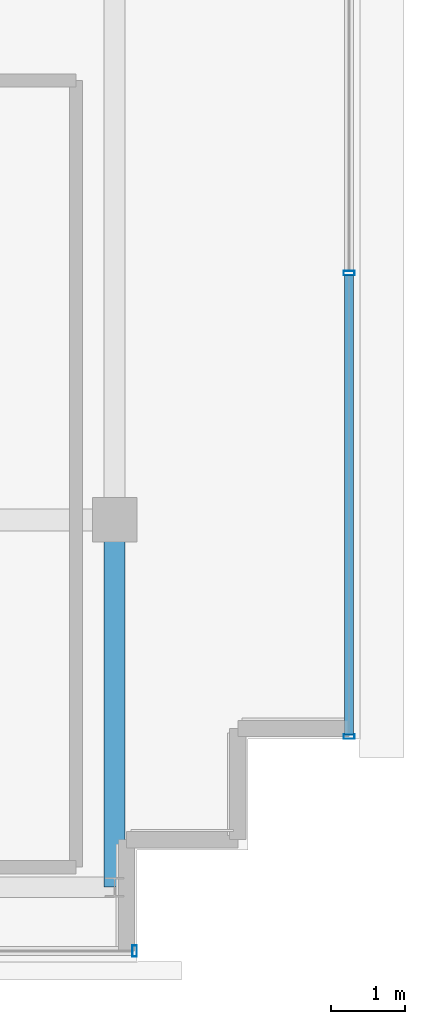
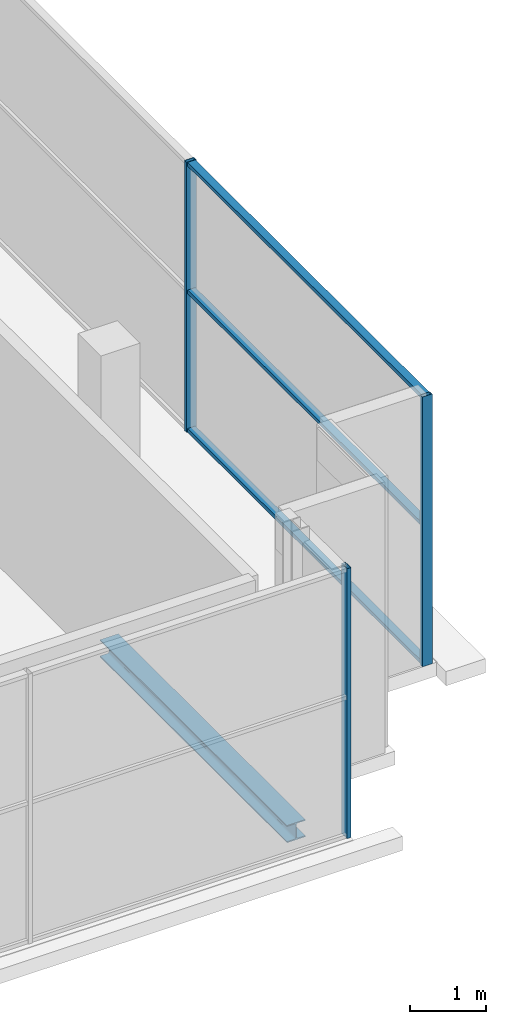
# One storey, part 19 of 27: 6 members, 1 beam, 2 elements without a shape of their own.
"""IFC4 building model written with IfcOpenShell, lengths in metres."""

import ifcopenshell
import ifcopenshell.guid

model = None  # the IFC model being written
_history = None  # IfcOwnerHistory: only IFC2X3 demands one
_inside = {}  # id of a spatial element -> (the spatial element, [elements in it])
_under = {}  # id of a project, library or spatial element -> (it, [spatial elements below it])
_declared = {}  # id of a project -> (the project, [libraries it declares])
_typed = {}  # id of a type object -> (the type object, [elements of that type])
_made_of = {}  # id of a material, layer set ... -> (it, [elements and type objects made of it])


def new_model(schema):
    """Start an empty IFC model of exactly this schema.

    Asked for "IFC4X3", IfcOpenShell would pick the latest addendum, in which some entities
    have other attributes; the version numbers below select the first issue.
    IFC2X3 requires an IfcOwnerHistory on every rooted entity: one is made here for all.
    """
    global model, _history
    if schema == "IFC4X3":
        model = ifcopenshell.file(schema_version=(4, 3, 0, 0))
    else:
        model = ifcopenshell.file(schema=schema)
    _inside.clear()
    _under.clear()
    _declared.clear()
    _typed.clear()
    _made_of.clear()
    _history = None
    if model.schema == "IFC2X3":
        org = make("IfcOrganization", Name="unknown")
        user = make(
            "IfcPersonAndOrganization",
            ThePerson=make("IfcPerson", FamilyName="unknown"),
            TheOrganization=org,
        )
        app = make(
            "IfcApplication",
            ApplicationDeveloper=org,
            Version="unknown",
            ApplicationFullName="unknown",
            ApplicationIdentifier="unknown",
        )
        _history = make(
            "IfcOwnerHistory",
            OwningUser=user,
            OwningApplication=app,
            ChangeAction="ADDED",
            CreationDate=0,
        )
    return model


def make(cls, **values):
    """One entity of the class cls with the attributes given. An attribute that is None is left unset."""
    return model.create_entity(
        cls, **{name: value for name, value in values.items() if value is not None}
    )


def rooted(cls, **values):
    """An entity with a GlobalId (a new one), such as an element, a storey or a relation."""
    return make(cls, GlobalId=ifcopenshell.guid.new(), OwnerHistory=_history, **values)


def si_unit(unit_type, name, prefix=None):
    """IfcSIUnit, for example si_unit("LENGTHUNIT", "METRE", prefix="MILLI")."""
    return make("IfcSIUnit", UnitType=unit_type, Prefix=prefix, Name=name)


def assignment(units):
    """IfcUnitAssignment: the units of a project."""
    return None if units is None else make("IfcUnitAssignment", Units=units)


def point(xyz):
    """IfcCartesianPoint."""
    return None if xyz is None else make("IfcCartesianPoint", Coordinates=xyz)


def direction(xyz):
    """IfcDirection."""
    return None if xyz is None else make("IfcDirection", DirectionRatios=xyz)


def frame(location, z_axis=None, x_axis=None):
    """IfcAxis2Placement3D, a coordinate frame: its origin and axes. An axis left out is left unset."""
    return make(
        "IfcAxis2Placement3D",
        Location=point(location),
        Axis=direction(z_axis),
        RefDirection=direction(x_axis),
    )


def frame_2d(location, x_axis=None):
    """IfcAxis2Placement2D, a coordinate frame in the plane: its origin and x axis."""
    return make(
        "IfcAxis2Placement2D", Location=point(location), RefDirection=direction(x_axis)
    )


def origin():
    """The frame at (0, 0, 0) with its axes left unset."""
    return frame((0.0, 0.0, 0.0))


def origin_2d():
    """The frame at (0, 0) in the plane with its x axis left unset."""
    return frame_2d((0.0, 0.0))


def place(relative_to, where):
    """IfcLocalPlacement: puts the frame where relative to a parent placement (None: the world)."""
    return make(
        "IfcLocalPlacement", PlacementRelTo=relative_to, RelativePlacement=where
    )


def context(
    kind, dimensions, precision=None, world=None, true_north=None, identifier=None
):
    """IfcGeometricRepresentationContext, for example the 3D "Model" context."""
    return make(
        "IfcGeometricRepresentationContext",
        ContextIdentifier=identifier,
        ContextType=kind,
        CoordinateSpaceDimension=dimensions,
        Precision=precision,
        WorldCoordinateSystem=world,
        TrueNorth=true_north,
    )


def subcontext(parent, identifier, kind, view, scale=None):
    """IfcGeometricRepresentationSubContext, for example "Body" below "Model"."""
    return make(
        "IfcGeometricRepresentationSubContext",
        ContextIdentifier=identifier,
        ContextType=kind,
        ParentContext=parent,
        TargetScale=scale,
        TargetView=view,
    )


def project(units=None, contexts=None):
    """IfcProject with its units and contexts."""
    return rooted(
        "IfcProject",
        Name="project",
        RepresentationContexts=contexts,
        UnitsInContext=assignment(units),
    )


def spatial(cls, under=None, at=None, **own):
    """A site, building, storey or space (cls), placed at a placement, below another one or the project."""
    s = rooted(cls, ObjectPlacement=at, **own)
    if under is not None:
        _under.setdefault(under.id(), (under, []))[1].append(s)
    return s


def profile(cls, at=None, kind="AREA", **sizes):
    """A parametric profile (cls). Its sizes go by their IFC names, for example OverallWidth=200.0."""
    return make(cls, ProfileType=kind, Position=at, **sizes)


def hollow_rectangle(**sizes):
    """IfcRectangleHollowProfileDef."""
    return profile("IfcRectangleHollowProfileDef", **sizes)


def i_section(**sizes):
    """IfcIShapeProfileDef."""
    return profile("IfcIShapeProfileDef", **sizes)


def extrude(swept, where, along, depth):
    """IfcExtrudedAreaSolid: the profile swept, set in the frame where, extruded along a direction by depth."""
    return make(
        "IfcExtrudedAreaSolid",
        SweptArea=swept,
        Position=where,
        ExtrudedDirection=direction(along),
        Depth=depth,
    )


def shape(context_of_items, identifier, shape_type, items):
    """IfcShapeRepresentation: the items that make up one representation, for example the "Body"."""
    return make(
        "IfcShapeRepresentation",
        ContextOfItems=context_of_items,
        RepresentationIdentifier=identifier,
        RepresentationType=shape_type,
        Items=items,
    )


def source(mapping_origin, context_of_items, identifier, shape_type, items):
    """IfcRepresentationMap: a shape defined once, which mapped items show again and again."""
    return make(
        "IfcRepresentationMap",
        MappingOrigin=mapping_origin,
        MappedRepresentation=shape(context_of_items, identifier, shape_type, items),
    )


def transform(
    local_origin,
    x_axis=None,
    y_axis=None,
    z_axis=None,
    scale=None,
    scale2=None,
    scale3=None,
    uniform=True,
):
    """IfcCartesianTransformationOperator3D, or its non-uniform kind. x_axis, y_axis, z_axis: its Axis1, 2, 3."""
    if uniform:
        return make(
            "IfcCartesianTransformationOperator3D",
            Axis1=direction(x_axis),
            Axis2=direction(y_axis),
            LocalOrigin=point(local_origin),
            Scale=scale,
            Axis3=direction(z_axis),
        )
    return make(
        "IfcCartesianTransformationOperator3DnonUniform",
        Axis1=direction(x_axis),
        Axis2=direction(y_axis),
        LocalOrigin=point(local_origin),
        Scale=scale,
        Axis3=direction(z_axis),
        Scale2=scale2,
        Scale3=scale3,
    )


def mapped(mapping_source, mapping_target):
    """IfcMappedItem: shows the shape of a source again, moved by a transform."""
    return make(
        "IfcMappedItem", MappingSource=mapping_source, MappingTarget=mapping_target
    )


def material(Name=None, Category=None):
    """IfcMaterial."""
    return make("IfcMaterial", Name=Name, Category=Category)


def layer(
    of_material, thickness, ventilated=None, Name=None, Category=None, Priority=None
):
    """IfcMaterialLayer: one layer of a wall or slab, of a material (None: an air gap)."""
    return make(
        "IfcMaterialLayer",
        Material=of_material,
        LayerThickness=thickness,
        IsVentilated=ventilated,
        Name=Name,
        Category=Category,
        Priority=Priority,
    )


def layer_set(layers, Name=None):
    """IfcMaterialLayerSet."""
    return make("IfcMaterialLayerSet", MaterialLayers=layers, LayerSetName=Name)


def material_profile(
    of_material, cross_section, Name=None, Category=None, Priority=None
):
    """IfcMaterialProfile: a cross section and its material."""
    return make(
        "IfcMaterialProfile",
        Name=Name,
        Material=of_material,
        Profile=cross_section,
        Priority=Priority,
        Category=Category,
    )


def profile_set(profiles, Name=None, composite=None):
    """IfcMaterialProfileSet."""
    return make(
        "IfcMaterialProfileSet",
        Name=Name,
        MaterialProfiles=profiles,
        CompositeProfile=composite,
    )


def made_of(thing, what):
    """Note that an element or type object is made of a material, layer set ...; save() writes the relation."""
    if what is not None:
        _made_of.setdefault(what.id(), (what, []))[1].append(thing)
    return thing


def type_object(cls, material=None, **own):
    """A type object (cls), such as IfcWallType, which elements share."""
    return made_of(rooted(cls, **own), material)


def element(
    cls,
    number,
    at=None,
    inside=None,
    cuts=None,
    type_object=None,
    material=None,
    context=None,
    identifier="Body",
    shape_type=None,
    held_by="IfcProductDefinitionShape",
    body=None,
    shapes=None,
    **own,
):
    """One element of the class cls, such as IfcWall. Its Tag is "e" and its number.

    at: its placement. inside: the storey or other place that contains it. cuts: it is an
    opening in that element (IfcRelVoidsElement). A single representation is given by context,
    identifier, shape_type and body (its items); several are given by shapes. held_by: the class
    of the entity that holds the representations. save() writes the other relations.
    """
    e = rooted(cls, Tag="e%d" % number, ObjectPlacement=at, **own)
    if body is not None:
        shapes = [shape(context, identifier, shape_type, body)]
    if shapes is not None:
        e.Representation = make(held_by, Representations=shapes)
    if inside is not None:
        _inside.setdefault(inside.id(), (inside, []))[1].append(e)
    if cuts is not None:
        rooted(
            "IfcRelVoidsElement", RelatingBuildingElement=cuts, RelatedOpeningElement=e
        )
    if type_object is not None:
        _typed.setdefault(type_object.id(), (type_object, []))[1].append(e)
    return made_of(e, material)


def aggregate(whole, parts):
    """IfcRelAggregates: a whole, such as a stair, and the parts it consists of."""
    return rooted("IfcRelAggregates", RelatingObject=whole, RelatedObjects=parts)


def save(model, path):
    """Write the relations noted so far, then the file.

    IfcRelAggregates (storeys below a building ...), IfcRelContainedInSpatialStructure (elements
    in a storey), IfcRelDefinesByType, IfcRelAssociatesMaterial and IfcRelDeclares: one each for
    every whole, place, type object, material and project.
    """
    for whole, parts in _under.values():
        aggregate(whole, parts)
    for where, things in _inside.values():
        rooted(
            "IfcRelContainedInSpatialStructure",
            RelatedElements=things,
            RelatingStructure=where,
        )
    for kind, things in _typed.values():
        rooted("IfcRelDefinesByType", RelatedObjects=things, RelatingType=kind)
    for what, things in _made_of.values():
        rooted("IfcRelAssociatesMaterial", RelatedObjects=things, RelatingMaterial=what)
    for by, libraries in _declared.values():
        rooted("IfcRelDeclares", RelatingContext=by, RelatedDefinitions=libraries)
    model.write(path)


model = new_model("IFC4")

# Units and contexts
model_context = context("Model", 3, precision=1e-05, world=origin(), true_north=direction((0.0, 1.0)))
body_context = subcontext(model_context, "Body", "Model", "MODEL_VIEW")
ifc_project = project(units=[si_unit("LENGTHUNIT", "METRE"), si_unit("AREAUNIT", "SQUARE_METRE"), si_unit("VOLUMEUNIT", "CUBIC_METRE"), si_unit("PLANEANGLEUNIT", "RADIAN"), si_unit("MASSUNIT", "GRAM", prefix="KILO")], contexts=[model_context])

# Site, building, storey
site_placement = place(None, origin())
site = spatial("IfcSite", under=ifc_project, at=site_placement, CompositionType="ELEMENT")
building_placement = place(site_placement, origin())
building = spatial("IfcBuilding", under=site, at=building_placement, Name="Zarnakvel Exchange Tower", CompositionType="ELEMENT")
storey_placement = place(building_placement, frame((0.0, 0.0, 294.60009765625)))
storey = spatial("IfcBuildingStorey", under=building, at=storey_placement, Name="Crown L82", CompositionType="ELEMENT", Elevation=294.60009765625)

# Beam
ifc_material_1 = material(Name="Steel S355", Category="steel")
ifc_material_profile_1 = material_profile(ifc_material_1, i_section(OverallWidth=0.280029296875, OverallDepth=0.280029296875, WebThickness=0.010498046875, FlangeThickness=0.01806640625, FilletRadius=0.02392578125, at=origin_2d()))
ifc_profile_set_1 = profile_set([ifc_material_profile_1], Name="Steel S355")
beam_type = type_object("IfcBeamType", Name="SP-04", PredefinedType="SPANDREL", material=ifc_profile_set_1)
beam_placement = place(storey_placement, frame((14.39990234375, -14.550048828125, -0.360107421875), z_axis=(0.0, 1.0, 0.0), x_axis=(-1.0, 0.0, 0.0)))
element("IfcBeam", 1, at=beam_placement, inside=storey, type_object=beam_type, Name="Crown L82 Tower N-S Frame Beam", PredefinedType="SPANDREL", context=body_context, shape_type="SweptSolid", body=[
    extrude(i_section(OverallWidth=0.280029296875, OverallDepth=0.280029296875, WebThickness=0.010498046875, FlangeThickness=0.01806640625, FilletRadius=0.02392578125, at=origin_2d()), origin(), (0.0, 0.0, 1.0), 4.949951171875),
])

# Curtain wall, member
ifc_material_2 = material(Name="Architectural Bronze Anodised Aluminium", Category="aluminium")
ifc_layer = layer(ifc_material_2, 0.14990234375)
ifc_layer_set = layer_set([ifc_layer], Name="Architectural Bronze Anodised Aluminium")
curtain_wall_type = type_object("IfcCurtainWallType", Name="CW-07", PredefinedType="NOTDEFINED", material=ifc_layer_set)
curtain_wall_1_placement = place(storey_placement, origin())
curtain_wall_1 = element("IfcCurtainWall", 2, at=curtain_wall_1_placement, inside=storey, type_object=curtain_wall_type, Name="Crown L82 Curtain Wall CW-Crown L82-S (CW-07)", PredefinedType="NOTDEFINED")
ifc_material_profile_2 = material_profile(ifc_material_2, hollow_rectangle(XDim=0.14990234375, YDim=0.06005859375, WallThickness=0.00390625, at=origin_2d()))
ifc_profile_set_2 = profile_set([ifc_material_profile_2], Name="Architectural Bronze Anodised Aluminium")
member_type_1 = type_object("IfcMemberType", Name="CWM-07", PredefinedType="MULLION", material=ifc_profile_set_2)
shared_shape_1 = source(origin(), body_context, "Body", "SweptSolid", [
    extrude(hollow_rectangle(XDim=0.14990234375, YDim=0.06005859375, WallThickness=0.00390625, at=origin_2d()), origin(), (0.0, 0.0, 1.0), 4.35986328125),
])
member_1_placement = place(storey_placement, frame((14.669921875, -15.409912109375, 0.0), z_axis=(0.0, 0.0, 1.0), x_axis=(0.0, 1.0, 0.0)))
member_1 = element("IfcMember", 3, at=member_1_placement, type_object=member_type_1, Name="CW-07 mullion 7", PredefinedType="MULLION", context=body_context, shape_type="MappedRepresentation", body=[
    mapped(shared_shape_1, transform((0.0, 0.0, 0.0), x_axis=(1.0, 0.0, 0.0), y_axis=(0.0, 1.0, 0.0), z_axis=(0.0, 0.0, 1.0), scale=1.0)),
])
aggregate(curtain_wall_1, [member_1])

# Curtain wall, members
curtain_wall_2_placement = place(storey_placement, origin())
curtain_wall_2 = element("IfcCurtainWall", 4, at=curtain_wall_2_placement, inside=storey, type_object=curtain_wall_type, Name="Crown L82 Curtain Wall CW-Crown L82-E (CW-07)", PredefinedType="NOTDEFINED")
member_2_placement = place(storey_placement, frame((17.56005859375, -12.52001953125, 0.0), z_axis=(0.0, 0.0, 1.0), x_axis=(-1.0, 0.0, 0.0)))
member_2 = element("IfcMember", 5, at=member_2_placement, type_object=member_type_1, Name="CW-07 mullion 1", PredefinedType="MULLION", context=body_context, shape_type="MappedRepresentation", body=[
    mapped(shared_shape_1, transform((0.0, 0.0, 0.0), x_axis=(1.0, 0.0, 0.0), y_axis=(0.0, 1.0, 0.0), z_axis=(0.0, 0.0, 1.0), scale=1.0)),
])
member_3_placement = place(storey_placement, frame((17.56005859375, -6.27490234375, 0.0), z_axis=(0.0, 0.0, 1.0), x_axis=(-1.0, 0.0, 0.0)))
member_3 = element("IfcMember", 6, at=member_3_placement, type_object=member_type_1, Name="CW-07 mullion 2", PredefinedType="MULLION", context=body_context, shape_type="MappedRepresentation", body=[
    mapped(shared_shape_1, transform((0.0, 0.0, 0.0), x_axis=(1.0, 0.0, 0.0), y_axis=(0.0, 1.0, 0.0), z_axis=(0.0, 0.0, 1.0), scale=1.0)),
])
ifc_material_profile_3 = material_profile(ifc_material_2, hollow_rectangle(XDim=0.1201171875, YDim=0.06005859375, WallThickness=0.00390625, at=origin_2d()))
ifc_profile_set_3 = profile_set([ifc_material_profile_3], Name="Architectural Bronze Anodised Aluminium")
member_type_2 = type_object("IfcMemberType", Name="CWT-07", PredefinedType="USERDEFINED", material=ifc_profile_set_3)
shared_shape_2 = source(origin(), body_context, "Body", "SweptSolid", [
    extrude(hollow_rectangle(XDim=0.1201171875, YDim=0.06005859375, WallThickness=0.00390625, at=origin_2d()), origin(), (0.0, 0.0, 1.0), 6.18505859375),
])
member_4_placement = place(storey_placement, frame((17.56005859375, -12.489990234375, 0.02978515625), z_axis=(0.0, 1.0, 0.0), x_axis=(-1.0, 0.0, 0.0)))
member_4 = element("IfcMember", 7, at=member_4_placement, type_object=member_type_2, Name="CW-07 transom 1.1", ObjectType="TRANSOM", PredefinedType="USERDEFINED", context=body_context, shape_type="MappedRepresentation", body=[
    mapped(shared_shape_2, transform((0.0, 0.0, 0.0), x_axis=(1.0, 0.0, 0.0), y_axis=(0.0, 1.0, 0.0), z_axis=(0.0, 0.0, 1.0), scale=1.0)),
])
member_5_placement = place(storey_placement, frame((17.56005859375, -12.489990234375, 2.26708984375), z_axis=(0.0, 1.0, 0.0), x_axis=(-1.0, 0.0, 0.0)))
member_5 = element("IfcMember", 8, at=member_5_placement, type_object=member_type_2, Name="CW-07 transom 1.2", ObjectType="TRANSOM", PredefinedType="USERDEFINED", context=body_context, shape_type="MappedRepresentation", body=[
    mapped(shared_shape_2, transform((0.0, 0.0, 0.0), x_axis=(1.0, 0.0, 0.0), y_axis=(0.0, 1.0, 0.0), z_axis=(0.0, 0.0, 1.0), scale=1.0)),
])
member_6_placement = place(storey_placement, frame((17.56005859375, -12.489990234375, 4.329833984375), z_axis=(0.0, 1.0, 0.0), x_axis=(-1.0, 0.0, 0.0)))
member_6 = element("IfcMember", 9, at=member_6_placement, type_object=member_type_2, Name="CW-07 transom 1.3", ObjectType="TRANSOM", PredefinedType="USERDEFINED", context=body_context, shape_type="MappedRepresentation", body=[
    mapped(shared_shape_2, transform((0.0, 0.0, 0.0), x_axis=(1.0, 0.0, 0.0), y_axis=(0.0, 1.0, 0.0), z_axis=(0.0, 0.0, 1.0), scale=1.0)),
])
aggregate(curtain_wall_2, [member_2, member_3, member_4, member_5, member_6])

save(model, "model.ifc")
